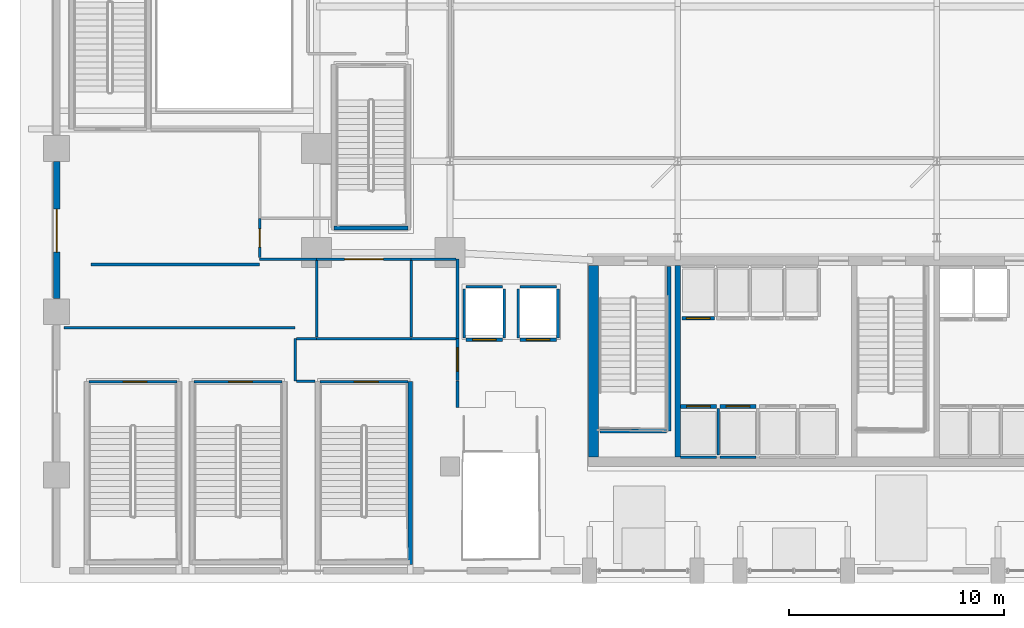
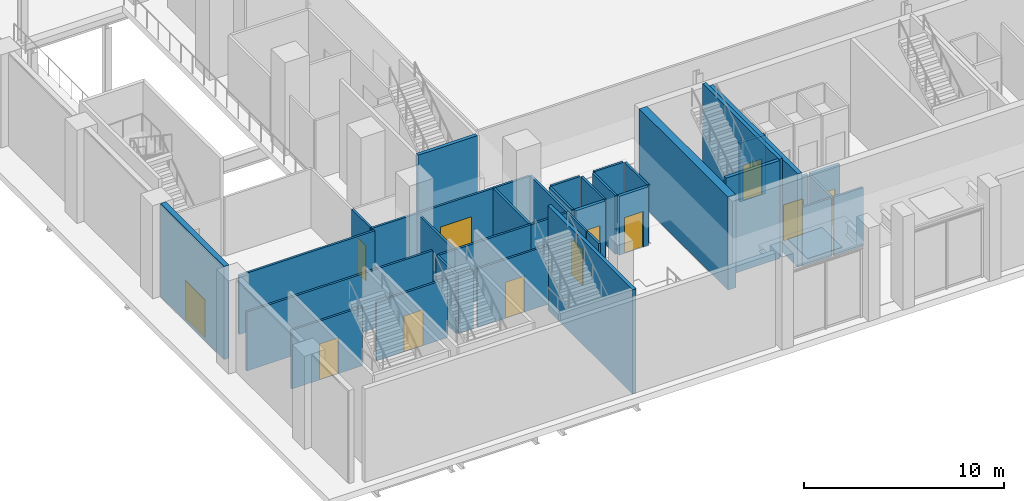
# One storey, part 18 of 36: 40 walls, 12 doors, 12 openings.
"""IFC4 building model written with IfcOpenShell, lengths in metres."""

import ifcopenshell
import ifcopenshell.guid

model = None  # the IFC model being written
_history = None  # IfcOwnerHistory: only IFC2X3 demands one
_inside = {}  # id of a spatial element -> (the spatial element, [elements in it])
_under = {}  # id of a project, library or spatial element -> (it, [spatial elements below it])
_declared = {}  # id of a project -> (the project, [libraries it declares])
_typed = {}  # id of a type object -> (the type object, [elements of that type])
_made_of = {}  # id of a material, layer set ... -> (it, [elements and type objects made of it])


def new_model(schema):
    """Start an empty IFC model of exactly this schema.

    Asked for "IFC4X3", IfcOpenShell would pick the latest addendum, in which some entities
    have other attributes; the version numbers below select the first issue.
    IFC2X3 requires an IfcOwnerHistory on every rooted entity: one is made here for all.
    """
    global model, _history
    if schema == "IFC4X3":
        model = ifcopenshell.file(schema_version=(4, 3, 0, 0))
    else:
        model = ifcopenshell.file(schema=schema)
    _inside.clear()
    _under.clear()
    _declared.clear()
    _typed.clear()
    _made_of.clear()
    _history = None
    if model.schema == "IFC2X3":
        org = make("IfcOrganization", Name="unknown")
        user = make(
            "IfcPersonAndOrganization",
            ThePerson=make("IfcPerson", FamilyName="unknown"),
            TheOrganization=org,
        )
        app = make(
            "IfcApplication",
            ApplicationDeveloper=org,
            Version="unknown",
            ApplicationFullName="unknown",
            ApplicationIdentifier="unknown",
        )
        _history = make(
            "IfcOwnerHistory",
            OwningUser=user,
            OwningApplication=app,
            ChangeAction="ADDED",
            CreationDate=0,
        )
    return model


def make(cls, **values):
    """One entity of the class cls with the attributes given. An attribute that is None is left unset."""
    return model.create_entity(
        cls, **{name: value for name, value in values.items() if value is not None}
    )


def rooted(cls, **values):
    """An entity with a GlobalId (a new one), such as an element, a storey or a relation."""
    return make(cls, GlobalId=ifcopenshell.guid.new(), OwnerHistory=_history, **values)


def si_unit(unit_type, name, prefix=None):
    """IfcSIUnit, for example si_unit("LENGTHUNIT", "METRE", prefix="MILLI")."""
    return make("IfcSIUnit", UnitType=unit_type, Prefix=prefix, Name=name)


def assignment(units):
    """IfcUnitAssignment: the units of a project."""
    return None if units is None else make("IfcUnitAssignment", Units=units)


def point(xyz):
    """IfcCartesianPoint."""
    return None if xyz is None else make("IfcCartesianPoint", Coordinates=xyz)


def direction(xyz):
    """IfcDirection."""
    return None if xyz is None else make("IfcDirection", DirectionRatios=xyz)


def frame(location, z_axis=None, x_axis=None):
    """IfcAxis2Placement3D, a coordinate frame: its origin and axes. An axis left out is left unset."""
    return make(
        "IfcAxis2Placement3D",
        Location=point(location),
        Axis=direction(z_axis),
        RefDirection=direction(x_axis),
    )


def frame_2d(location, x_axis=None):
    """IfcAxis2Placement2D, a coordinate frame in the plane: its origin and x axis."""
    return make(
        "IfcAxis2Placement2D", Location=point(location), RefDirection=direction(x_axis)
    )


def origin():
    """The frame at (0, 0, 0) with its axes left unset."""
    return frame((0.0, 0.0, 0.0))


def place(relative_to, where):
    """IfcLocalPlacement: puts the frame where relative to a parent placement (None: the world)."""
    return make(
        "IfcLocalPlacement", PlacementRelTo=relative_to, RelativePlacement=where
    )


def context(
    kind, dimensions, precision=None, world=None, true_north=None, identifier=None
):
    """IfcGeometricRepresentationContext, for example the 3D "Model" context."""
    return make(
        "IfcGeometricRepresentationContext",
        ContextIdentifier=identifier,
        ContextType=kind,
        CoordinateSpaceDimension=dimensions,
        Precision=precision,
        WorldCoordinateSystem=world,
        TrueNorth=true_north,
    )


def subcontext(parent, identifier, kind, view, scale=None):
    """IfcGeometricRepresentationSubContext, for example "Body" below "Model"."""
    return make(
        "IfcGeometricRepresentationSubContext",
        ContextIdentifier=identifier,
        ContextType=kind,
        ParentContext=parent,
        TargetScale=scale,
        TargetView=view,
    )


def project(units=None, contexts=None):
    """IfcProject with its units and contexts."""
    return rooted(
        "IfcProject",
        Name="project",
        RepresentationContexts=contexts,
        UnitsInContext=assignment(units),
    )


def spatial(cls, under=None, at=None, **own):
    """A site, building, storey or space (cls), placed at a placement, below another one or the project."""
    s = rooted(cls, ObjectPlacement=at, **own)
    if under is not None:
        _under.setdefault(under.id(), (under, []))[1].append(s)
    return s


def profile(cls, at=None, kind="AREA", **sizes):
    """A parametric profile (cls). Its sizes go by their IFC names, for example OverallWidth=200.0."""
    return make(cls, ProfileType=kind, Position=at, **sizes)


def rectangle(**sizes):
    """IfcRectangleProfileDef."""
    return profile("IfcRectangleProfileDef", **sizes)


def extrude(swept, where, along, depth):
    """IfcExtrudedAreaSolid: the profile swept, set in the frame where, extruded along a direction by depth."""
    return make(
        "IfcExtrudedAreaSolid",
        SweptArea=swept,
        Position=where,
        ExtrudedDirection=direction(along),
        Depth=depth,
    )


def shape(context_of_items, identifier, shape_type, items):
    """IfcShapeRepresentation: the items that make up one representation, for example the "Body"."""
    return make(
        "IfcShapeRepresentation",
        ContextOfItems=context_of_items,
        RepresentationIdentifier=identifier,
        RepresentationType=shape_type,
        Items=items,
    )


def material(Name=None, Category=None):
    """IfcMaterial."""
    return make("IfcMaterial", Name=Name, Category=Category)


def layer(
    of_material, thickness, ventilated=None, Name=None, Category=None, Priority=None
):
    """IfcMaterialLayer: one layer of a wall or slab, of a material (None: an air gap)."""
    return make(
        "IfcMaterialLayer",
        Material=of_material,
        LayerThickness=thickness,
        IsVentilated=ventilated,
        Name=Name,
        Category=Category,
        Priority=Priority,
    )


def layer_set(layers, Name=None):
    """IfcMaterialLayerSet."""
    return make("IfcMaterialLayerSet", MaterialLayers=layers, LayerSetName=Name)


def made_of(thing, what):
    """Note that an element or type object is made of a material, layer set ...; save() writes the relation."""
    if what is not None:
        _made_of.setdefault(what.id(), (what, []))[1].append(thing)
    return thing


def type_object(cls, material=None, **own):
    """A type object (cls), such as IfcWallType, which elements share."""
    return made_of(rooted(cls, **own), material)


def element(
    cls,
    number,
    at=None,
    inside=None,
    cuts=None,
    type_object=None,
    material=None,
    context=None,
    identifier="Body",
    shape_type=None,
    held_by="IfcProductDefinitionShape",
    body=None,
    shapes=None,
    **own,
):
    """One element of the class cls, such as IfcWall. Its Tag is "e" and its number.

    at: its placement. inside: the storey or other place that contains it. cuts: it is an
    opening in that element (IfcRelVoidsElement). A single representation is given by context,
    identifier, shape_type and body (its items); several are given by shapes. held_by: the class
    of the entity that holds the representations. save() writes the other relations.
    """
    e = rooted(cls, Tag="e%d" % number, ObjectPlacement=at, **own)
    if body is not None:
        shapes = [shape(context, identifier, shape_type, body)]
    if shapes is not None:
        e.Representation = make(held_by, Representations=shapes)
    if inside is not None:
        _inside.setdefault(inside.id(), (inside, []))[1].append(e)
    if cuts is not None:
        rooted(
            "IfcRelVoidsElement", RelatingBuildingElement=cuts, RelatedOpeningElement=e
        )
    if type_object is not None:
        _typed.setdefault(type_object.id(), (type_object, []))[1].append(e)
    return made_of(e, material)


def fill(opening, filler):
    """IfcRelFillsElement: the door or window that sits in an opening."""
    return rooted(
        "IfcRelFillsElement",
        RelatingOpeningElement=opening,
        RelatedBuildingElement=filler,
    )


def aggregate(whole, parts):
    """IfcRelAggregates: a whole, such as a stair, and the parts it consists of."""
    return rooted("IfcRelAggregates", RelatingObject=whole, RelatedObjects=parts)


def save(model, path):
    """Write the relations noted so far, then the file.

    IfcRelAggregates (storeys below a building ...), IfcRelContainedInSpatialStructure (elements
    in a storey), IfcRelDefinesByType, IfcRelAssociatesMaterial and IfcRelDeclares: one each for
    every whole, place, type object, material and project.
    """
    for whole, parts in _under.values():
        aggregate(whole, parts)
    for where, things in _inside.values():
        rooted(
            "IfcRelContainedInSpatialStructure",
            RelatedElements=things,
            RelatingStructure=where,
        )
    for kind, things in _typed.values():
        rooted("IfcRelDefinesByType", RelatedObjects=things, RelatingType=kind)
    for what, things in _made_of.values():
        rooted("IfcRelAssociatesMaterial", RelatedObjects=things, RelatingMaterial=what)
    for by, libraries in _declared.values():
        rooted("IfcRelDeclares", RelatingContext=by, RelatedDefinitions=libraries)
    model.write(path)


model = new_model("IFC4")

# Units and contexts
model_context = context("Model", 3, precision=1e-05, world=origin(), true_north=direction((0.0, 1.0)))
body_context = subcontext(model_context, "Body", "Model", "MODEL_VIEW")
ifc_project = project(units=[si_unit("LENGTHUNIT", "METRE"), si_unit("AREAUNIT", "SQUARE_METRE"), si_unit("VOLUMEUNIT", "CUBIC_METRE"), si_unit("PLANEANGLEUNIT", "RADIAN"), si_unit("MASSUNIT", "GRAM", prefix="KILO")], contexts=[model_context])

# Site, building, storey
site_placement = place(None, origin())
site = spatial("IfcSite", under=ifc_project, at=site_placement, CompositionType="ELEMENT")
building_placement = place(site_placement, origin())
building = spatial("IfcBuilding", under=site, at=building_placement, Name="Ndaravel Arena Tower", CompositionType="ELEMENT")
storey_placement = place(building_placement, origin())
storey = spatial("IfcBuildingStorey", under=building, at=storey_placement, Name="L00", CompositionType="ELEMENT", Elevation=0.0)

# Walls
ifc_material_1 = material(Name="Concrete C60/75", Category="concrete")
ifc_layer_1 = layer(ifc_material_1, 0.25)
ifc_layer_set_1 = layer_set([ifc_layer_1], Name="Concrete C60/75")
wall_type_1 = type_object("IfcWallType", Name="WALL-CORE-250", PredefinedType="SOLIDWALL", material=ifc_layer_set_1)
wall_1_placement = place(storey_placement, frame((30.60009765625, 5.85009765625, 0.0), z_axis=(0.0, 0.0, 1.0), x_axis=(0.0, 1.0, 0.0)))
element("IfcWall", 1, at=wall_1_placement, inside=storey, type_object=wall_type_1, Name="L00 Core Web Shear Wall 1", PredefinedType="SOLIDWALL", context=body_context, shape_type="SweptSolid", body=[
    extrude(rectangle(XDim=8.89990234375, YDim=0.25, at=frame_2d((4.449951171875, 0.0))), origin(), (0.0, 0.0, 1.0), 5.699951171875),
])
ifc_material_2 = material(Name="Concrete C60/75", Category="concrete")
ifc_layer_2 = layer(ifc_material_2, 0.449951171875)
ifc_layer_set_2 = layer_set([ifc_layer_2], Name="Concrete C60/75")
wall_type_2 = type_object("IfcWallType", Name="WALL-CORE-450", PredefinedType="SOLIDWALL", material=ifc_layer_set_2)
wall_2_placement = place(storey_placement, frame((26.675048828125, 5.85009765625, 0.0), z_axis=(0.0, 0.0, 1.0), x_axis=(0.0, 1.0, 0.0)))
element("IfcWall", 2, at=wall_2_placement, inside=storey, type_object=wall_type_2, Name="L00 Core West Shear Wall", PredefinedType="SOLIDWALL", context=body_context, shape_type="SweptSolid", body=[
    extrude(rectangle(XDim=8.89990234375, YDim=0.449951171875, at=frame_2d((4.449951171875, 0.0))), origin(), (0.0, 0.0, 1.0), 5.699951171875),
])
ifc_material_3 = material(Name="Gypsum", Category="gypsum")
ifc_layer_3 = layer(ifc_material_3, 0.125)
ifc_layer_set_3 = layer_set([ifc_layer_3], Name="Gypsum")
wall_type_3 = type_object("IfcWallType", Name="WALL-PART-125", PredefinedType="PARTITIONING", material=ifc_layer_set_3)
wall_3_placement = place(storey_placement, frame((20.35009765625, 8.14990234375, 0.0), z_axis=(0.0, 0.0, 1.0), x_axis=(0.0, 1.0, 0.0)))
element("IfcWall", 3, at=wall_3_placement, inside=storey, type_object=wall_type_3, Name="L00 Interior Partition 001", PredefinedType="PARTITIONING", context=body_context, shape_type="SweptSolid", body=[
    extrude(rectangle(XDim=1.22021484375, YDim=0.125, at=frame_2d((0.610107421875, 0.0))), origin(), (0.0, 0.0, 1.0), 3.60009765625),
])

# Wall, opening, door
wall_4_placement = place(storey_placement, frame((20.35009765625, 9.39990234375, 0.0), z_axis=(0.0, 0.0, 1.0), x_axis=(0.0, 1.0, 0.0)))
wall_4 = element("IfcWall", 4, at=wall_4_placement, inside=storey, type_object=wall_type_3, Name="L00 Interior Partition 002", PredefinedType="PARTITIONING", context=body_context, shape_type="SweptSolid", body=[
    extrude(rectangle(XDim=1.9501953125, YDim=0.125, at=frame_2d((0.97509765625, 0.0))), origin(), (0.0, 0.0, 1.0), 3.60009765625),
])
opening_1_placement = place(wall_4_placement, frame((0.425048828125, 0.0, 0.0)))
opening_1 = element("IfcOpeningElement", 5, at=opening_1_placement, cuts=wall_4, Name="Opening FD-01", PredefinedType="OPENING", context=body_context, shape_type="SweptSolid", body=[
    extrude(rectangle(XDim=1.10009765625, YDim=2.199951171875, at=frame_2d((0.550048828125, 1.10009765625))), frame((0.0, 0.0625, 0.0), z_axis=(0.0, -1.0, 0.0), x_axis=(1.0, 0.0, 0.0)), (0.0, 0.0, 1.0), 0.125),
])
ifc_material_4 = material(Name="Steel S355", Category="steel")
door_type_1 = type_object("IfcDoorType", Name="DT-01-STAIR-1100", OperationType="SINGLE_SWING_LEFT", PredefinedType="DOOR", material=ifc_material_4)
door_1_placement = place(opening_1_placement, origin())
door_1 = element("IfcDoor", 6, at=door_1_placement, inside=storey, type_object=door_type_1, Name="L00 Protected Exit Passageway South-West Door", OperationType="SINGLE_SWING_RIGHT", OverallHeight=2.199951171875, OverallWidth=1.10009765625, PredefinedType="DOOR", context=body_context, shape_type="SweptSolid", body=[
    extrude(rectangle(XDim=1.10009765625, YDim=2.199951171875, at=frame_2d((0.550048828125, 1.10009765625))), frame((0.0, 0.02490234375, 0.0), z_axis=(0.0, -1.0, 0.0), x_axis=(1.0, 0.0, 0.0)), (0.0, 0.0, 1.0), 0.050048828125),
])
fill(opening_1, door_1)

# Walls
wall_5_placement = place(storey_placement, frame((20.35009765625, 11.35009765625, 0.0), z_axis=(0.0, 0.0, 1.0), x_axis=(0.0, 1.0, 0.0)))
element("IfcWall", 7, at=wall_5_placement, inside=storey, type_object=wall_type_3, Name="L00 Interior Partition 003", PredefinedType="PARTITIONING", context=body_context, shape_type="SweptSolid", body=[
    extrude(rectangle(XDim=3.699951171875, YDim=0.125, at=frame_2d((1.85009765625, 0.0))), origin(), (0.0, 0.0, 1.0), 3.60009765625),
])
wall_6_placement = place(storey_placement, frame((20.284912109375, 15.050048828125, 0.0), z_axis=(0.0, 0.0, 1.0), x_axis=(-1.0, 0.0, 0.0)))
element("IfcWall", 8, at=wall_6_placement, inside=storey, type_object=wall_type_3, Name="L00 Interior Partition 004", PredefinedType="PARTITIONING", context=body_context, shape_type="SweptSolid", body=[
    extrude(rectangle(XDim=2.0849609375, YDim=0.125, at=frame_2d((1.04248046875, 0.0))), origin(), (0.0, 0.0, 1.0), 3.60009765625),
])

# Wall, opening, door
wall_7_placement = place(storey_placement, frame((18.199951171875, 15.050048828125, 0.0), z_axis=(0.0, 0.0, 1.0), x_axis=(-1.0, 0.0, 0.0)))
wall_7 = element("IfcWall", 9, at=wall_7_placement, inside=storey, type_object=wall_type_3, Name="L00 Interior Partition 005", PredefinedType="PARTITIONING", context=body_context, shape_type="SweptSolid", body=[
    extrude(rectangle(XDim=4.39990234375, YDim=0.125, at=frame_2d((2.199951171875, 0.0))), origin(), (0.0, 0.0, 1.0), 3.60009765625),
])
opening_2_placement = place(wall_7_placement, frame((1.300048828125, 0.0, 0.0)))
opening_2 = element("IfcOpeningElement", 10, at=opening_2_placement, cuts=wall_7, Name="Opening AD-01", PredefinedType="OPENING", context=body_context, shape_type="SweptSolid", body=[
    extrude(rectangle(XDim=1.800048828125, YDim=2.300048828125, at=frame_2d((0.89990234375, 1.14990234375))), frame((0.0, 0.0625, 0.0), z_axis=(0.0, -1.0, 0.0), x_axis=(1.0, 0.0, 0.0)), (0.0, 0.0, 1.0), 0.125),
])
ifc_material_5 = material(Name="Steel S355", Category="steel")
door_type_2 = type_object("IfcDoorType", Name="DT-10-ARENA-1800", OperationType="DOUBLE_DOOR_SINGLE_SWING", PredefinedType="DOOR", material=ifc_material_5)
door_2_placement = place(opening_2_placement, origin())
door_2 = element("IfcDoor", 11, at=door_2_placement, inside=storey, type_object=door_type_2, Name="L00 Sports Flagship Retail Shop West Door", OperationType="SINGLE_SWING_RIGHT", OverallHeight=2.300048828125, OverallWidth=1.800048828125, PredefinedType="DOOR", context=body_context, shape_type="SweptSolid", body=[
    extrude(rectangle(XDim=1.800048828125, YDim=2.300048828125, at=frame_2d((0.89990234375, 1.14990234375))), frame((0.0, 0.02490234375, 0.0), z_axis=(0.0, -1.0, 0.0), x_axis=(1.0, 0.0, 0.0)), (0.0, 0.0, 1.0), 0.050048828125),
])
fill(opening_2, door_2)

# Walls
wall_8_placement = place(storey_placement, frame((13.800048828125, 15.050048828125, 0.0), z_axis=(0.0, 0.0, 1.0), x_axis=(-1.0, 0.0, 0.0)))
element("IfcWall", 12, at=wall_8_placement, inside=storey, type_object=wall_type_3, Name="L00 Interior Partition 006", PredefinedType="PARTITIONING", context=body_context, shape_type="SweptSolid", body=[
    extrude(rectangle(XDim=2.650146484375, YDim=0.125, at=frame_2d((1.3251953125, 0.0))), origin(), (0.0, 0.0, 1.0), 3.60009765625),
])
wall_9_placement = place(storey_placement, frame((2.050048828125, 11.85009765625, 0.0), z_axis=(0.0, 0.0, 1.0), x_axis=(1.0, 0.0, 0.0)))
element("IfcWall", 13, at=wall_9_placement, inside=storey, type_object=wall_type_3, Name="L00 Interior Partition 028", PredefinedType="PARTITIONING", context=body_context, shape_type="SweptSolid", body=[
    extrude(rectangle(XDim=10.75, YDim=0.125, at=frame_2d((5.375, 0.0))), origin(), (0.0, 0.0, 1.0), 3.60009765625),
])
wall_10_placement = place(storey_placement, frame((12.800048828125, 11.35009765625, 0.0), z_axis=(0.0, 0.0, 1.0), x_axis=(0.0, -1.0, 0.0)))
element("IfcWall", 14, at=wall_10_placement, inside=storey, type_object=wall_type_3, Name="L00 Interior Partition 029", PredefinedType="PARTITIONING", context=body_context, shape_type="SweptSolid", body=[
    extrude(rectangle(XDim=1.97998046875, YDim=0.125, at=frame_2d((0.989990234375, 0.0))), origin(), (0.0, 0.0, 1.0), 3.60009765625),
])
wall_11_placement = place(storey_placement, frame((13.72998046875, 9.3701171875, 0.0), z_axis=(0.0, 0.0, 1.0), x_axis=(-1.0, 0.0, 0.0)))
element("IfcWall", 15, at=wall_11_placement, inside=storey, type_object=wall_type_3, Name="L00 Interior Partition 030", PredefinedType="PARTITIONING", context=body_context, shape_type="SweptSolid", body=[
    extrude(rectangle(XDim=0.864990234375, YDim=0.125, at=frame_2d((0.4326171875, 0.0))), origin(), (0.0, 0.0, 1.0), 3.60009765625),
])
wall_12_placement = place(storey_placement, frame((12.864990234375, 11.35009765625, 0.0), z_axis=(0.0, 0.0, 1.0), x_axis=(1.0, 0.0, 0.0)))
element("IfcWall", 16, at=wall_12_placement, inside=storey, type_object=wall_type_3, Name="L00 Interior Partition 031", PredefinedType="PARTITIONING", context=body_context, shape_type="SweptSolid", body=[
    extrude(rectangle(XDim=0.93505859375, YDim=0.125, at=frame_2d((0.467529296875, 0.0))), origin(), (0.0, 0.0, 1.0), 3.60009765625),
])
wall_13_placement = place(storey_placement, frame((13.800048828125, 11.35009765625, 0.0), z_axis=(0.0, 0.0, 1.0), x_axis=(1.0, 0.0, 0.0)))
element("IfcWall", 17, at=wall_13_placement, inside=storey, type_object=wall_type_3, Name="L00 Interior Partition 032", PredefinedType="PARTITIONING", context=body_context, shape_type="SweptSolid", body=[
    extrude(rectangle(XDim=4.39990234375, YDim=0.125, at=frame_2d((2.199951171875, 0.0))), origin(), (0.0, 0.0, 1.0), 3.60009765625),
])
wall_14_placement = place(storey_placement, frame((18.199951171875, 11.35009765625, 0.0), z_axis=(0.0, 0.0, 1.0), x_axis=(1.0, 0.0, 0.0)))
element("IfcWall", 18, at=wall_14_placement, inside=storey, type_object=wall_type_3, Name="L00 Interior Partition 033", PredefinedType="PARTITIONING", context=body_context, shape_type="SweptSolid", body=[
    extrude(rectangle(XDim=2.0849609375, YDim=0.125, at=frame_2d((1.04248046875, 0.0))), origin(), (0.0, 0.0, 1.0), 3.60009765625),
])
wall_15_placement = place(storey_placement, frame((11.14990234375, 14.800048828125, 0.0), z_axis=(0.0, 0.0, 1.0), x_axis=(-1.0, 0.0, 0.0)))
element("IfcWall", 19, at=wall_15_placement, inside=storey, type_object=wall_type_3, Name="L00 Interior Partition 039", PredefinedType="PARTITIONING", context=body_context, shape_type="SweptSolid", body=[
    extrude(rectangle(XDim=7.849853515625, YDim=0.125, at=frame_2d((3.9248046875, 0.0))), origin(), (0.0, 0.0, 1.0), 3.60009765625),
])
for number, where, z_axis, x_axis, name in (
    (20, (13.800048828125, 11.4150390625, 0.0), (0.0, 0.0, 1.0), (0.0, 1.0, 0.0), "L00 Interior Partition 050"),
    (21, (18.199951171875, 14.985107421875, 0.0), (0.0, 0.0, 1.0), (0.0, -1.0, 0.0), "L00 Interior Partition 051"),
):
    element("IfcWall", number, at=place(storey_placement, frame(where, z_axis=z_axis, x_axis=x_axis)), inside=storey, type_object=wall_type_3, Name=name, PredefinedType="PARTITIONING", context=body_context, shape_type="SweptSolid", body=[
        extrude(rectangle(XDim=3.570068359375, YDim=0.125, at=frame_2d((1.78515625, 0.0))), origin(), (0.0, 0.0, 1.0), 3.60009765625),
    ])

# Wall, opening, door
ifc_material_6 = material(Name="Masonry", Category="masonry")
ifc_layer_4 = layer(ifc_material_6, 0.300048828125)
ifc_layer_set_4 = layer_set([ifc_layer_4], Name="Masonry")
wall_type_4 = type_object("IfcWallType", Name="WALL-POD-MAZERAS-300", PredefinedType="SOLIDWALL", material=ifc_layer_set_4)
wall_16_placement = place(storey_placement, frame((1.699951171875, 13.219970703125, 0.0), z_axis=(0.0, 0.0, 1.0), x_axis=(0.0, 1.0, 0.0)))
wall_16 = element("IfcWall", 22, at=wall_16_placement, inside=storey, type_object=wall_type_4, Name="L00 West Mazeras Bay 3", PredefinedType="SOLIDWALL", context=body_context, shape_type="SweptSolid", body=[
    extrude(rectangle(XDim=6.360107421875, YDim=0.300048828125, at=frame_2d((3.18017578125, 0.0))), origin(), (0.0, 0.0, 1.0), 5.699951171875),
])
opening_3_placement = place(wall_16_placement, frame((2.14990234375, 0.0, 0.0)))
opening_3 = element("IfcOpeningElement", 23, at=opening_3_placement, cuts=wall_16, Name="Opening ED-04", PredefinedType="OPENING", context=body_context, shape_type="SweptSolid", body=[
    extrude(rectangle(XDim=2.0, YDim=2.300048828125, at=frame_2d((1.0, 1.14990234375))), frame((0.0, 0.14990234375, 0.0), z_axis=(0.0, -1.0, 0.0), x_axis=(1.0, 0.0, 0.0)), (0.0, 0.0, 1.0), 0.300048828125),
])
ifc_material_7 = material(Name="Aluminium", Category="aluminium")
door_type_3 = type_object("IfcDoorType", Name="ED-EXIT-2000", OperationType="DOUBLE_DOOR_SINGLE_SWING", PredefinedType="DOOR", material=ifc_material_7)
door_3_placement = place(opening_3_placement, origin())
door_3 = element("IfcDoor", 24, at=door_3_placement, inside=storey, type_object=door_type_3, Name="West Concourse Street Exit Door", OperationType="DOUBLE_DOOR_SINGLE_SWING", OverallHeight=2.300048828125, OverallWidth=2.0, PredefinedType="DOOR", context=body_context, shape_type="SweptSolid", body=[
    extrude(rectangle(XDim=2.0, YDim=2.300048828125, at=frame_2d((1.0, 1.14990234375))), frame((0.0, 0.02490234375, 0.0), z_axis=(0.0, -1.0, 0.0), x_axis=(1.0, 0.0, 0.0)), (0.0, 0.0, 1.0), 0.050048828125),
])
fill(opening_3, door_3)

ifc_material_8 = material(Name="Concrete C40/50", Category="concrete")
ifc_layer_5 = layer(ifc_material_8, 0.1201171875)
ifc_layer_set_5 = layer_set([ifc_layer_5], Name="Concrete C40/50")
wall_type_5 = type_object("IfcWallType", Name="WALL-SHAFT-120", PredefinedType="SOLIDWALL", material=ifc_layer_set_5)
wall_17_placement = place(storey_placement, frame((3.205078125, 9.35009765625, 0.0), z_axis=(0.0, 0.0, 1.0), x_axis=(1.0, 0.0, 0.0)))
wall_17 = element("IfcWall", 25, at=wall_17_placement, inside=storey, type_object=wall_type_5, Name="L00 ST-A01 Entry Wall", PredefinedType="SOLIDWALL", context=body_context, shape_type="SweptSolid", body=[
    extrude(rectangle(XDim=4.08984375, YDim=0.1201171875, at=frame_2d((2.044921875, 0.0))), origin(), (0.0, 0.0, 1.0), 3.60009765625),
])
opening_4_placement = place(wall_17_placement, frame((1.60009765625, 0.0, 0.0)))
opening_4 = element("IfcOpeningElement", 26, at=opening_4_placement, cuts=wall_17, Name="Opening FD-01", PredefinedType="OPENING", context=body_context, shape_type="SweptSolid", body=[
    extrude(rectangle(XDim=1.10009765625, YDim=2.199951171875, at=frame_2d((0.550048828125, 1.10009765625))), frame((0.0, 0.06005859375, 0.0), z_axis=(0.0, -1.0, 0.0), x_axis=(1.0, 0.0, 0.0)), (0.0, 0.0, 1.0), 0.1201171875),
])
door_4_placement = place(opening_4_placement, origin())
door_4 = element("IfcDoor", 27, at=door_4_placement, inside=storey, type_object=door_type_1, Name="L00 ST-A01 Fire Exit Stair Door", OperationType="SINGLE_SWING_LEFT", OverallHeight=2.199951171875, OverallWidth=1.10009765625, PredefinedType="DOOR", context=body_context, shape_type="SweptSolid", body=[
    extrude(rectangle(XDim=1.10009765625, YDim=2.199951171875, at=frame_2d((0.550048828125, 1.10009765625))), frame((0.0, 0.02490234375, 0.0), z_axis=(0.0, -1.0, 0.0), x_axis=(1.0, 0.0, 0.0)), (0.0, 0.0, 1.0), 0.050048828125),
])
fill(opening_4, door_4)

wall_18_placement = place(storey_placement, frame((8.10498046875, 9.35009765625, 0.0), z_axis=(0.0, 0.0, 1.0), x_axis=(1.0, 0.0, 0.0)))
wall_18 = element("IfcWall", 28, at=wall_18_placement, inside=storey, type_object=wall_type_5, Name="L00 ST-A02 Entry Wall", PredefinedType="SOLIDWALL", context=body_context, shape_type="SweptSolid", body=[
    extrude(rectangle(XDim=4.090087890625, YDim=0.1201171875, at=frame_2d((2.044921875, 0.0))), origin(), (0.0, 0.0, 1.0), 3.60009765625),
])
opening_5_placement = place(wall_18_placement, frame((1.60009765625, 0.0, 0.0)))
opening_5 = element("IfcOpeningElement", 29, at=opening_5_placement, cuts=wall_18, Name="Opening FD-01", PredefinedType="OPENING", context=body_context, shape_type="SweptSolid", body=[
    extrude(rectangle(XDim=1.10009765625, YDim=2.199951171875, at=frame_2d((0.550048828125, 1.10009765625))), frame((0.0, 0.06005859375, 0.0), z_axis=(0.0, -1.0, 0.0), x_axis=(1.0, 0.0, 0.0)), (0.0, 0.0, 1.0), 0.1201171875),
])
door_5_placement = place(opening_5_placement, origin())
door_5 = element("IfcDoor", 30, at=door_5_placement, inside=storey, type_object=door_type_1, Name="L00 ST-A02 Fire Exit Stair Door", OperationType="SINGLE_SWING_LEFT", OverallHeight=2.199951171875, OverallWidth=1.10009765625, PredefinedType="DOOR", context=body_context, shape_type="SweptSolid", body=[
    extrude(rectangle(XDim=1.10009765625, YDim=2.199951171875, at=frame_2d((0.550048828125, 1.10009765625))), frame((0.0, 0.02490234375, 0.0), z_axis=(0.0, -1.0, 0.0), x_axis=(1.0, 0.0, 0.0)), (0.0, 0.0, 1.0), 0.050048828125),
])
fill(opening_5, door_5)

wall_19_placement = place(storey_placement, frame((13.955078125, 9.35009765625, 0.0), z_axis=(0.0, 0.0, 1.0), x_axis=(1.0, 0.0, 0.0)))
wall_19 = element("IfcWall", 31, at=wall_19_placement, inside=storey, type_object=wall_type_5, Name="L00 ST-A03 Entry Wall", PredefinedType="SOLIDWALL", context=body_context, shape_type="SweptSolid", body=[
    extrude(rectangle(XDim=4.08984375, YDim=0.1201171875, at=frame_2d((2.044921875, 0.0))), origin(), (0.0, 0.0, 1.0), 3.60009765625),
])
opening_6_placement = place(wall_19_placement, frame((1.60009765625, 0.0, 0.0)))
opening_6 = element("IfcOpeningElement", 32, at=opening_6_placement, cuts=wall_19, Name="Opening FD-01", PredefinedType="OPENING", context=body_context, shape_type="SweptSolid", body=[
    extrude(rectangle(XDim=1.10009765625, YDim=2.199951171875, at=frame_2d((0.550048828125, 1.10009765625))), frame((0.0, 0.06005859375, 0.0), z_axis=(0.0, -1.0, 0.0), x_axis=(1.0, 0.0, 0.0)), (0.0, 0.0, 1.0), 0.1201171875),
])
door_6_placement = place(opening_6_placement, origin())
door_6 = element("IfcDoor", 33, at=door_6_placement, inside=storey, type_object=door_type_1, Name="L00 ST-A03 Fire Exit Stair Door", OperationType="SINGLE_SWING_LEFT", OverallHeight=2.199951171875, OverallWidth=1.10009765625, PredefinedType="DOOR", context=body_context, shape_type="SweptSolid", body=[
    extrude(rectangle(XDim=1.10009765625, YDim=2.199951171875, at=frame_2d((0.550048828125, 1.10009765625))), frame((0.0, 0.02490234375, 0.0), z_axis=(0.0, -1.0, 0.0), x_axis=(1.0, 0.0, 0.0)), (0.0, 0.0, 1.0), 0.050048828125),
])
fill(opening_6, door_6)

# Walls
wall_20_placement = place(storey_placement, frame((30.72998046875, 5.840087890625, 0.0), z_axis=(0.0, 0.0, 1.0), x_axis=(1.0, 0.0, 0.0)))
element("IfcWall", 34, at=wall_20_placement, inside=storey, type_object=wall_type_5, Name="L00 PL-L1 Shaft Rear Wall", PredefinedType="SOLIDWALL", context=body_context, shape_type="SweptSolid", body=[
    extrude(rectangle(XDim=1.6650390625, YDim=0.1201171875, at=frame_2d((0.83251953125, 0.0))), origin(), (0.0, 0.0, 1.0), 3.60009765625),
])
wall_21_placement = place(storey_placement, frame((32.47509765625, 5.929931640625, 0.0), z_axis=(0.0, 0.0, 1.0), x_axis=(0.0, 1.0, 0.0)))
element("IfcWall", 35, at=wall_21_placement, inside=storey, type_object=wall_type_5, Name="L00 PL-L1 Shaft Side R Wall", PredefinedType="SOLIDWALL", context=body_context, shape_type="SweptSolid", body=[
    extrude(rectangle(XDim=2.18017578125, YDim=0.1201171875, at=frame_2d((1.090087890625, 0.0))), origin(), (0.0, 0.0, 1.0), 3.60009765625),
])
for number, where, z_axis, x_axis, name in (
    (36, (32.554931640625, 5.840087890625, 0.0), (0.0, 0.0, 1.0), (1.0, 0.0, 0.0), "L00 PL-L2 Shaft Rear Wall"),
    (37, (20.7548828125, 13.760009765625, 0.0), (0.0, 0.0, 1.0), (1.0, 0.0, 0.0), "L00 PL-A1 Shaft Rear Wall"),
):
    element("IfcWall", number, at=place(storey_placement, frame(where, z_axis=z_axis, x_axis=x_axis)), inside=storey, type_object=wall_type_5, Name=name, PredefinedType="SOLIDWALL", context=body_context, shape_type="SweptSolid", body=[
        extrude(rectangle(XDim=1.690185546875, YDim=0.1201171875, at=frame_2d((0.84521484375, 0.0))), origin(), (0.0, 0.0, 1.0), 3.60009765625),
    ])
for number, where, z_axis, x_axis, name in (
    (38, (20.675048828125, 11.389892578125, 0.0), (0.0, 0.0, 1.0), (0.0, 1.0, 0.0), "L00 PL-A1 Shaft Side L Wall"),
    (39, (22.52490234375, 11.389892578125, 0.0), (0.0, 0.0, 1.0), (0.0, 1.0, 0.0), "L00 PL-A1 Shaft Side R Wall"),
):
    element("IfcWall", number, at=place(storey_placement, frame(where, z_axis=z_axis, x_axis=x_axis)), inside=storey, type_object=wall_type_5, Name=name, PredefinedType="SOLIDWALL", context=body_context, shape_type="SweptSolid", body=[
        extrude(rectangle(XDim=2.280029296875, YDim=0.1201171875, at=frame_2d((1.14013671875, 0.0))), origin(), (0.0, 0.0, 1.0), 3.60009765625),
    ])
wall_22_placement = place(storey_placement, frame((23.2548828125, 13.760009765625, 0.0), z_axis=(0.0, 0.0, 1.0), x_axis=(1.0, 0.0, 0.0)))
element("IfcWall", 40, at=wall_22_placement, inside=storey, type_object=wall_type_5, Name="L00 PL-A2 Shaft Rear Wall", PredefinedType="SOLIDWALL", context=body_context, shape_type="SweptSolid", body=[
    extrude(rectangle(XDim=1.690185546875, YDim=0.1201171875, at=frame_2d((0.84521484375, 0.0))), origin(), (0.0, 0.0, 1.0), 3.60009765625),
])
for number, where, z_axis, x_axis, name in (
    (41, (23.175048828125, 11.389892578125, 0.0), (0.0, 0.0, 1.0), (0.0, 1.0, 0.0), "L00 PL-A2 Shaft Side L Wall"),
    (42, (25.02490234375, 11.389892578125, 0.0), (0.0, 0.0, 1.0), (0.0, 1.0, 0.0), "L00 PL-A2 Shaft Side R Wall"),
):
    element("IfcWall", number, at=place(storey_placement, frame(where, z_axis=z_axis, x_axis=x_axis)), inside=storey, type_object=wall_type_5, Name=name, PredefinedType="SOLIDWALL", context=body_context, shape_type="SweptSolid", body=[
        extrude(rectangle(XDim=2.280029296875, YDim=0.1201171875, at=frame_2d((1.14013671875, 0.0))), origin(), (0.0, 0.0, 1.0), 3.60009765625),
    ])
ifc_material_9 = material(Name="Concrete C40/50", Category="concrete")
ifc_layer_6 = layer(ifc_material_9, 0.199951171875)
ifc_layer_set_6 = layer_set([ifc_layer_6], Name="Concrete C40/50")
wall_type_6 = type_object("IfcWallType", Name="WALL-SHAFT-200", PredefinedType="SOLIDWALL", material=ifc_layer_set_6)
wall_23_placement = place(storey_placement, frame((30.18994140625, 14.699951171875, 0.0), z_axis=(0.0, 0.0, 1.0), x_axis=(0.0, -1.0, 0.0)))
element("IfcWall", 43, at=wall_23_placement, inside=storey, type_object=wall_type_6, Name="L00 ST-1 Structural Shaft Wall Right", PredefinedType="SOLIDWALL", context=body_context, shape_type="SweptSolid", body=[
    extrude(rectangle(XDim=7.64990234375, YDim=0.199951171875, at=frame_2d((3.824951171875, 0.0))), origin(), (0.0, 0.0, 1.0), 6.0),
])
wall_24_placement = place(storey_placement, frame((26.969970703125, 7.050048828125, 0.0), z_axis=(0.0, 0.0, 1.0), x_axis=(1.0, 0.0, 0.0)))
element("IfcWall", 44, at=wall_24_placement, inside=storey, type_object=wall_type_6, Name="L00 ST-1 Structural Shaft Wall Far", PredefinedType="SOLIDWALL", context=body_context, shape_type="SweptSolid", body=[
    extrude(rectangle(XDim=3.114990234375, YDim=0.199951171875, at=frame_2d((1.5576171875, 0.0))), origin(), (0.0, 0.0, 1.0), 6.0),
])
wall_25_placement = place(storey_placement, frame((18.14990234375, 9.35009765625, -0.39990234375), z_axis=(0.0, 0.0, 1.0), x_axis=(0.0, -1.0, 0.0)))
element("IfcWall", 45, at=wall_25_placement, inside=storey, type_object=wall_type_6, Name="L00 ST-A03 Shaft Wall Right", PredefinedType="SOLIDWALL", context=body_context, shape_type="SweptSolid", body=[
    extrude(rectangle(XDim=8.5, YDim=0.199951171875, at=frame_2d((4.25, 0.0))), origin(), (0.0, 0.0, 1.0), 6.39990234375),
])
wall_26_placement = place(storey_placement, frame((14.610107421875, 16.5, -0.39990234375), z_axis=(0.0, 0.0, 1.0), x_axis=(1.0, 0.0, 0.0)))
element("IfcWall", 46, at=wall_26_placement, inside=storey, type_object=wall_type_6, Name="L00 ST-VOM-1 Shaft Wall Far", PredefinedType="SOLIDWALL", context=body_context, shape_type="SweptSolid", body=[
    extrude(rectangle(XDim=3.43994140625, YDim=0.199951171875, at=frame_2d((1.719970703125, 0.0))), origin(), (0.0, 0.0, 1.0), 6.39990234375),
])

# Wall, opening, door
wall_27_placement = place(storey_placement, frame((30.72998046875, 8.199951171875, 0.0), z_axis=(0.0, 0.0, 1.0), x_axis=(1.0, 0.0, 0.0)))
wall_27 = element("IfcWall", 47, at=wall_27_placement, inside=storey, type_object=wall_type_6, Name="L00 PL-L1 Shaft Landing Wall", PredefinedType="SOLIDWALL", context=body_context, shape_type="SweptSolid", body=[
    extrude(rectangle(XDim=1.6650390625, YDim=0.179931640625, at=frame_2d((0.83251953125, 0.0))), origin(), (0.0, 0.0, 1.0), 3.60009765625),
])
opening_7_placement = place(wall_27_placement, frame((0.282470703125, 0.0, 0.0)))
opening_7 = element("IfcOpeningElement", 48, at=opening_7_placement, cuts=wall_27, Name="Opening LD-01", PredefinedType="OPENING", context=body_context, shape_type="SweptSolid", body=[
    extrude(rectangle(XDim=1.10009765625, YDim=2.199951171875, at=frame_2d((0.550048828125, 1.10009765625))), frame((0.0, 0.08984375, 0.0), z_axis=(0.0, -1.0, 0.0), x_axis=(1.0, 0.0, 0.0)), (0.0, 0.0, 1.0), 0.179931640625),
])
ifc_material_10 = material(Name="Steel S355", Category="steel")
door_type_4 = type_object("IfcDoorType", Name="DT-06-LIFT-1100", OperationType="SLIDING_TO_LEFT", PredefinedType="DOOR", material=ifc_material_10)
door_7_placement = place(opening_7_placement, origin())
door_7 = element("IfcDoor", 49, at=door_7_placement, inside=storey, type_object=door_type_4, Name="L00 Lift PL-L1 Sliding Landing Door", OperationType="SLIDING_TO_LEFT", OverallHeight=2.199951171875, OverallWidth=1.10009765625, PredefinedType="DOOR", context=body_context, shape_type="SweptSolid", body=[
    extrude(rectangle(XDim=1.10009765625, YDim=2.199951171875, at=frame_2d((0.550048828125, 1.10009765625))), frame((0.0, 0.02490234375, 0.0), z_axis=(0.0, -1.0, 0.0), x_axis=(1.0, 0.0, 0.0)), (0.0, 0.0, 1.0), 0.050048828125),
])
fill(opening_7, door_7)

wall_28_placement = place(storey_placement, frame((32.554931640625, 8.199951171875, 0.0), z_axis=(0.0, 0.0, 1.0), x_axis=(1.0, 0.0, 0.0)))
wall_28 = element("IfcWall", 50, at=wall_28_placement, inside=storey, type_object=wall_type_6, Name="L00 PL-L2 Shaft Landing Wall", PredefinedType="SOLIDWALL", context=body_context, shape_type="SweptSolid", body=[
    extrude(rectangle(XDim=1.690185546875, YDim=0.179931640625, at=frame_2d((0.84521484375, 0.0))), origin(), (0.0, 0.0, 1.0), 3.60009765625),
])
opening_8_placement = place(wall_28_placement, frame((0.294921875, 0.0, 0.0)))
opening_8 = element("IfcOpeningElement", 51, at=opening_8_placement, cuts=wall_28, Name="Opening LD-01", PredefinedType="OPENING", context=body_context, shape_type="SweptSolid", body=[
    extrude(rectangle(XDim=1.10009765625, YDim=2.199951171875, at=frame_2d((0.550048828125, 1.10009765625))), frame((0.0, 0.08984375, 0.0), z_axis=(0.0, -1.0, 0.0), x_axis=(1.0, 0.0, 0.0)), (0.0, 0.0, 1.0), 0.179931640625),
])
door_8_placement = place(opening_8_placement, origin())
door_8 = element("IfcDoor", 52, at=door_8_placement, inside=storey, type_object=door_type_4, Name="L00 Lift PL-L2 Sliding Landing Door", OperationType="SLIDING_TO_LEFT", OverallHeight=2.199951171875, OverallWidth=1.10009765625, PredefinedType="DOOR", context=body_context, shape_type="SweptSolid", body=[
    extrude(rectangle(XDim=1.10009765625, YDim=2.199951171875, at=frame_2d((0.550048828125, 1.10009765625))), frame((0.0, 0.02490234375, 0.0), z_axis=(0.0, -1.0, 0.0), x_axis=(1.0, 0.0, 0.0)), (0.0, 0.0, 1.0), 0.050048828125),
])
fill(opening_8, door_8)

wall_29_placement = place(storey_placement, frame((30.804931640625, 12.300048828125, 0.0), z_axis=(0.0, 0.0, 1.0), x_axis=(1.0, 0.0, 0.0)))
wall_29 = element("IfcWall", 53, at=wall_29_placement, inside=storey, type_object=wall_type_6, Name="L00 PL-M1 Shaft Landing Wall", PredefinedType="SOLIDWALL", context=body_context, shape_type="SweptSolid", body=[
    extrude(rectangle(XDim=1.489990234375, YDim=0.179931640625, at=frame_2d((0.7451171875, 0.0))), origin(), (0.0, 0.0, 1.0), 3.60009765625),
])
opening_9_placement = place(wall_29_placement, frame((0.195068359375, 0.0, 0.0)))
opening_9 = element("IfcOpeningElement", 54, at=opening_9_placement, cuts=wall_29, Name="Opening LD-01", PredefinedType="OPENING", context=body_context, shape_type="SweptSolid", body=[
    extrude(rectangle(XDim=1.10009765625, YDim=2.199951171875, at=frame_2d((0.550048828125, 1.10009765625))), frame((0.0, 0.08984375, 0.0), z_axis=(0.0, -1.0, 0.0), x_axis=(1.0, 0.0, 0.0)), (0.0, 0.0, 1.0), 0.179931640625),
])
door_9_placement = place(opening_9_placement, origin())
door_9 = element("IfcDoor", 55, at=door_9_placement, inside=storey, type_object=door_type_4, Name="L00 Lift PL-M1 Sliding Landing Door", OperationType="SLIDING_TO_LEFT", OverallHeight=2.199951171875, OverallWidth=1.10009765625, PredefinedType="DOOR", context=body_context, shape_type="SweptSolid", body=[
    extrude(rectangle(XDim=1.10009765625, YDim=2.199951171875, at=frame_2d((0.550048828125, 1.10009765625))), frame((0.0, 0.02490234375, 0.0), z_axis=(0.0, -1.0, 0.0), x_axis=(1.0, 0.0, 0.0)), (0.0, 0.0, 1.0), 0.050048828125),
])
fill(opening_9, door_9)

wall_30_placement = place(storey_placement, frame((20.7548828125, 11.300048828125, 0.0), z_axis=(0.0, 0.0, 1.0), x_axis=(1.0, 0.0, 0.0)))
wall_30 = element("IfcWall", 56, at=wall_30_placement, inside=storey, type_object=wall_type_6, Name="L00 PL-A1 Shaft Landing Wall", PredefinedType="SOLIDWALL", context=body_context, shape_type="SweptSolid", body=[
    extrude(rectangle(XDim=1.690185546875, YDim=0.179931640625, at=frame_2d((0.84521484375, 0.0))), origin(), (0.0, 0.0, 1.0), 3.60009765625),
])
opening_10_placement = place(wall_30_placement, frame((0.294921875, 0.0, 0.0)))
opening_10 = element("IfcOpeningElement", 57, at=opening_10_placement, cuts=wall_30, Name="Opening LD-01", PredefinedType="OPENING", context=body_context, shape_type="SweptSolid", body=[
    extrude(rectangle(XDim=1.10009765625, YDim=2.199951171875, at=frame_2d((0.550048828125, 1.10009765625))), frame((0.0, 0.08984375, 0.0), z_axis=(0.0, -1.0, 0.0), x_axis=(1.0, 0.0, 0.0)), (0.0, 0.0, 1.0), 0.179931640625),
])
door_10_placement = place(opening_10_placement, origin())
door_10 = element("IfcDoor", 58, at=door_10_placement, inside=storey, type_object=door_type_4, Name="L00 Lift PL-A1 Sliding Landing Door", OperationType="SLIDING_TO_LEFT", OverallHeight=2.199951171875, OverallWidth=1.10009765625, PredefinedType="DOOR", context=body_context, shape_type="SweptSolid", body=[
    extrude(rectangle(XDim=1.10009765625, YDim=2.199951171875, at=frame_2d((0.550048828125, 1.10009765625))), frame((0.0, 0.02490234375, 0.0), z_axis=(0.0, -1.0, 0.0), x_axis=(1.0, 0.0, 0.0)), (0.0, 0.0, 1.0), 0.050048828125),
])
fill(opening_10, door_10)

wall_31_placement = place(storey_placement, frame((23.2548828125, 11.300048828125, 0.0), z_axis=(0.0, 0.0, 1.0), x_axis=(1.0, 0.0, 0.0)))
wall_31 = element("IfcWall", 59, at=wall_31_placement, inside=storey, type_object=wall_type_6, Name="L00 PL-A2 Shaft Landing Wall", PredefinedType="SOLIDWALL", context=body_context, shape_type="SweptSolid", body=[
    extrude(rectangle(XDim=1.690185546875, YDim=0.179931640625, at=frame_2d((0.84521484375, 0.0))), origin(), (0.0, 0.0, 1.0), 3.60009765625),
])
opening_11_placement = place(wall_31_placement, frame((0.294921875, 0.0, 0.0)))
opening_11 = element("IfcOpeningElement", 60, at=opening_11_placement, cuts=wall_31, Name="Opening LD-01", PredefinedType="OPENING", context=body_context, shape_type="SweptSolid", body=[
    extrude(rectangle(XDim=1.10009765625, YDim=2.199951171875, at=frame_2d((0.550048828125, 1.10009765625))), frame((0.0, 0.08984375, 0.0), z_axis=(0.0, -1.0, 0.0), x_axis=(1.0, 0.0, 0.0)), (0.0, 0.0, 1.0), 0.179931640625),
])
door_11_placement = place(opening_11_placement, origin())
door_11 = element("IfcDoor", 61, at=door_11_placement, inside=storey, type_object=door_type_4, Name="L00 Lift PL-A2 Sliding Landing Door", OperationType="SLIDING_TO_LEFT", OverallHeight=2.199951171875, OverallWidth=1.10009765625, PredefinedType="DOOR", context=body_context, shape_type="SweptSolid", body=[
    extrude(rectangle(XDim=1.10009765625, YDim=2.199951171875, at=frame_2d((0.550048828125, 1.10009765625))), frame((0.0, 0.02490234375, 0.0), z_axis=(0.0, -1.0, 0.0), x_axis=(1.0, 0.0, 0.0)), (0.0, 0.0, 1.0), 0.050048828125),
])
fill(opening_11, door_11)

ifc_material_11 = material(Name="Masonry", Category="masonry")
ifc_layer_7 = layer(ifc_material_11, 0.14990234375)
ifc_layer_set_7 = layer_set([ifc_layer_7], Name="Masonry")
wall_type_7 = type_object("IfcWallType", Name="WALL-WET-150", PredefinedType="PARTITIONING", material=ifc_layer_set_7)
wall_32_placement = place(storey_placement, frame((11.14990234375, 15.114990234375, 0.0), z_axis=(0.0, 0.0, 1.0), x_axis=(0.0, 1.0, 0.0)))
wall_32 = element("IfcWall", 62, at=wall_32_placement, inside=storey, type_object=wall_type_7, Name="L00 Interior Partition 007", PredefinedType="PARTITIONING", context=body_context, shape_type="SweptSolid", body=[
    extrude(rectangle(XDim=1.8349609375, YDim=0.125, at=frame_2d((0.91748046875, 0.0))), origin(), (0.0, 0.0, 1.0), 3.60009765625),
])
opening_12_placement = place(wall_32_placement, frame((0.492431640625, 0.0, 0.0)))
opening_12 = element("IfcOpeningElement", 63, at=opening_12_placement, cuts=wall_32, Name="Opening ID-03", PredefinedType="OPENING", context=body_context, shape_type="SweptSolid", body=[
    extrude(rectangle(XDim=0.85009765625, YDim=2.14990234375, at=frame_2d((0.425048828125, 1.074951171875))), frame((0.0, 0.0625, 0.0), z_axis=(0.0, -1.0, 0.0), x_axis=(1.0, 0.0, 0.0)), (0.0, 0.0, 1.0), 0.125),
])
ifc_material_12 = material(Name="Timber", Category="wood")
door_type_5 = type_object("IfcDoorType", Name="DT-12-SUB-850", OperationType="SINGLE_SWING_LEFT", PredefinedType="DOOR", material=ifc_material_12)
door_12_placement = place(opening_12_placement, origin())
door_12 = element("IfcDoor", 64, at=door_12_placement, inside=storey, type_object=door_type_5, Name="L00 Protected Exit Passageway West-Central Door", OperationType="SINGLE_SWING_LEFT", OverallHeight=2.14990234375, OverallWidth=0.85009765625, PredefinedType="DOOR", context=body_context, shape_type="SweptSolid", body=[
    extrude(rectangle(XDim=0.85009765625, YDim=2.14990234375, at=frame_2d((0.425048828125, 1.074951171875))), frame((0.0, 0.02490234375, 0.0), z_axis=(0.0, -1.0, 0.0), x_axis=(1.0, 0.0, 0.0)), (0.0, 0.0, 1.0), 0.050048828125),
])
fill(opening_12, door_12)

save(model, "model.ifc")
